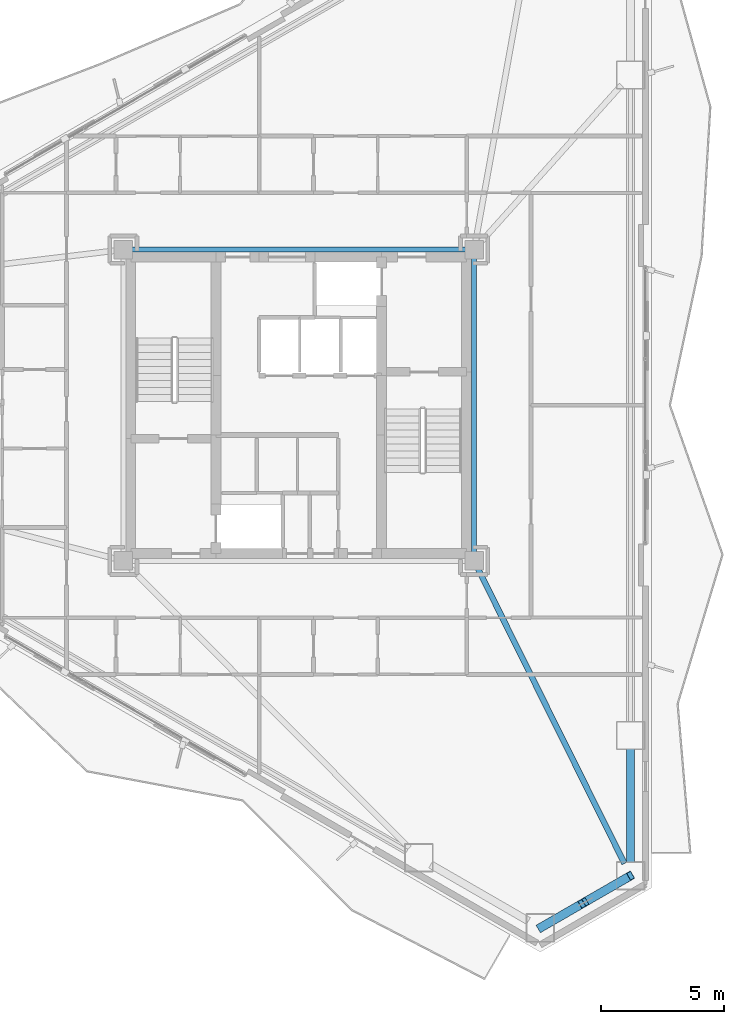
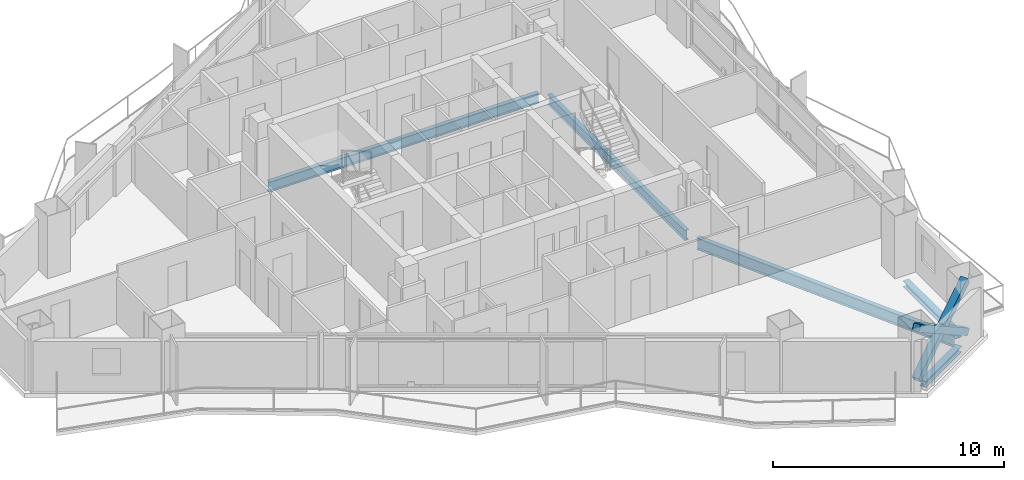
# One storey, part 7 of 22: 5 beams, 3 members.
"""IFC4 building model written with IfcOpenShell, lengths in metres."""

from ifc_helpers import new_model, si_unit, direction, frame, origin, origin_2d, place, context, subcontext, project, spatial, hollow_rectangle, i_section, extrude, material, material_profile, profile_set, type_object, element, save


model = new_model("IFC4")

# Units and contexts
model_context = context("Model", 3, precision=1e-05, world=origin(), true_north=direction((0.0, 1.0)))
body_context = subcontext(model_context, "Body", "Model", "MODEL_VIEW")
ifc_project = project(units=[si_unit("LENGTHUNIT", "METRE"), si_unit("AREAUNIT", "SQUARE_METRE"), si_unit("VOLUMEUNIT", "CUBIC_METRE"), si_unit("PLANEANGLEUNIT", "RADIAN"), si_unit("MASSUNIT", "GRAM", prefix="KILO")], contexts=[model_context])

# Site, building, storey
site_placement = place(None, origin())
site = spatial("IfcSite", under=ifc_project, at=site_placement, CompositionType="ELEMENT")
building_placement = place(site_placement, origin())
building = spatial("IfcBuilding", under=site, at=building_placement, Name="Mersakhor Tower and Convention Hall", CompositionType="ELEMENT")
storey_placement = place(building_placement, frame((0.0, 0.0, 99.89990234375)))
storey = spatial("IfcBuildingStorey", under=building, at=storey_placement, Name="L27", CompositionType="ELEMENT", Elevation=99.89990234375)

# Beams
ifc_material_1 = material(Name="Steel S355", Category="steel")
ifc_material_profile_1 = material_profile(ifc_material_1, i_section(OverallWidth=0.2099609375, OverallDepth=0.53662109375, WebThickness=0.0107421875, FlangeThickness=0.017333984375, at=origin_2d()), Name="UB 533x210x101")
ifc_profile_set_1 = profile_set([ifc_material_profile_1], Name="Steel S355")
beam_type_1 = type_object("IfcBeamType", Name="BM-FB-533", PredefinedType="BEAM", material=ifc_profile_set_1)
beam_1_placement = place(storey_placement, frame((22.2548828125, 33.050048828125, -0.518310546875), z_axis=(1.0, 0.0, 0.0), x_axis=(0.0, 1.0, 0.0)))
element("IfcBeam", 1, at=beam_1_placement, inside=storey, type_object=beam_type_1, Name="L27 Core Ring Tie Beam CRB-2", PredefinedType="BEAM", context=body_context, shape_type="SweptSolid", body=[
    extrude(i_section(OverallWidth=0.2099609375, OverallDepth=0.53662109375, WebThickness=0.0107421875, FlangeThickness=0.017333984375, at=origin_2d()), origin(), (0.0, 0.0, 1.0), 13.490234375),
])
beam_2_placement = place(storey_placement, frame((36.10009765625, 32.695068359375, -0.518310546875), z_axis=(0.0, -1.0, 0.0), x_axis=(1.0, 0.0, 0.0)))
element("IfcBeam", 2, at=beam_2_placement, inside=storey, type_object=beam_type_1, Name="L27 Core Ring Tie Beam CRB-3", PredefinedType="BEAM", context=body_context, shape_type="SweptSolid", body=[
    extrude(i_section(OverallWidth=0.2099609375, OverallDepth=0.53662109375, WebThickness=0.0107421875, FlangeThickness=0.017333984375, at=origin_2d()), origin(), (0.0, 0.0, 1.0), 11.89013671875),
])
ifc_material_2 = material(Name="Steel S355", Category="steel")
ifc_material_profile_2 = material_profile(ifc_material_2, i_section(OverallWidth=0.22900390625, OverallDepth=0.6123046875, WebThickness=0.011962890625, FlangeThickness=0.01953125, at=origin_2d()), Name="UB 610x229x125")
ifc_profile_set_2 = profile_set([ifc_material_profile_2], Name="Steel S355")
beam_type_2 = type_object("IfcBeamType", Name="BM-PR-610", PredefinedType="BEAM", material=ifc_profile_set_2)
beam_3_placement = place(storey_placement, frame((36.258056640625, 20.132080078125, -0.555908203125), z_axis=(0.444984263658, -0.895538388399, 0.0), x_axis=(0.895538388399, 0.444984263658, 0.0)))
element("IfcBeam", 3, at=beam_3_placement, inside=storey, type_object=beam_type_2, Name="L27 Primary Floor Girder FG-4", PredefinedType="BEAM", context=body_context, shape_type="SweptSolid", body=[
    extrude(i_section(OverallWidth=0.22900390625, OverallDepth=0.6123046875, WebThickness=0.011962890625, FlangeThickness=0.01953125, at=origin_2d()), origin(), (0.0, 0.0, 1.0), 13.324951171875),
])
ifc_material_3 = material(Name="Steel S355", Category="steel")
ifc_material_profile_3 = material_profile(ifc_material_3, i_section(OverallWidth=0.30908203125, OverallDepth=0.320556640625, WebThickness=0.013916015625, FlangeThickness=0.021728515625, at=origin_2d()), Name="UC 305x305x137")
ifc_profile_set_3 = profile_set([ifc_material_profile_3], Name="Steel S355")
beam_type_3 = type_object("IfcBeamType", Name="BM-SPD-UC305", PredefinedType="SPANDREL", material=ifc_profile_set_3)
beam_4_placement = place(storey_placement, frame((42.4345703125, 12.8232421875, -0.41015625), z_axis=(0.0, -1.0, 0.0), x_axis=(1.0, 0.0, 0.0)))
element("IfcBeam", 4, at=beam_4_placement, inside=storey, type_object=beam_type_3, Name="L27 Perimeter Spandrel Beam SPB-07", PredefinedType="SPANDREL", context=body_context, shape_type="SweptSolid", body=[
    extrude(i_section(OverallWidth=0.30908203125, OverallDepth=0.320556640625, WebThickness=0.013916015625, FlangeThickness=0.021728515625, at=origin_2d()), origin(), (0.0, 0.0, 1.0), 4.566162109375),
])
beam_5_placement = place(storey_placement, frame((41.9541015625, 7.424560546875, -0.41015625), z_axis=(-0.866052319632, -0.499953377486, 0.0), x_axis=(0.499953377486, -0.866052319632, 0.0)))
element("IfcBeam", 5, at=beam_5_placement, inside=storey, type_object=beam_type_3, Name="L27 Perimeter Spandrel Beam SPB-08", PredefinedType="SPANDREL", context=body_context, shape_type="SweptSolid", body=[
    extrude(i_section(OverallWidth=0.30908203125, OverallDepth=0.320556640625, WebThickness=0.013916015625, FlangeThickness=0.021728515625, at=origin_2d()), origin(), (0.0, 0.0, 1.0), 3.111572265625),
])

# Members
ifc_material_4 = material(Name="Steel S460", Category="steel")
ifc_material_profile_4 = material_profile(ifc_material_4, hollow_rectangle(XDim=0.35009765625, YDim=0.35009765625, WallThickness=0.02001953125, at=origin_2d()), Name="SHS 350x350x20")
ifc_profile_set_4 = profile_set([ifc_material_profile_4], Name="Steel S460")
member_type = type_object("IfcMemberType", Name="MB-BRC-SHS350", PredefinedType="BRACE", material=ifc_profile_set_4)
member_1_placement = place(storey_placement, frame((42.4345703125, 7.701904296875, 0.150146484375), z_axis=(-0.725633725484, -0.418933054415, 0.545848689986), x_axis=(0.49998946241, -0.866031487579, 0.0)))
element("IfcMember", 6, at=member_1_placement, inside=storey, type_object=member_type, Name="L27 Chamfer Braced Frame Diagonal CB-2A", PredefinedType="BRACE", context=body_context, shape_type="SweptSolid", body=[
    extrude(hollow_rectangle(XDim=0.35009765625, YDim=0.35009765625, WallThickness=0.02001953125, at=origin_2d()), origin(), (0.0, 0.0, 1.0), 5.0380859375),
])
member_2_placement = place(storey_placement, frame((38.77880859375, 5.59130859375, 0.150146484375), z_axis=(0.725635037856, 0.418918980369, 0.545857746783), x_axis=(-0.499976186015, 0.866039152359, 0.0)))
element("IfcMember", 7, at=member_2_placement, inside=storey, type_object=member_type, Name="L27 Chamfer Braced Frame Diagonal CB-2B Lower Half", PredefinedType="BRACE", context=body_context, shape_type="SweptSolid", body=[
    extrude(hollow_rectangle(XDim=0.35009765625, YDim=0.35009765625, WallThickness=0.02001953125, at=origin_2d()), origin(), (0.0, 0.0, 1.0), 2.319580078125),
])
member_3_placement = place(storey_placement, frame((40.751220703125, 6.730224609375, 1.6337890625), z_axis=(0.725643177862, 0.418862922102, 0.545889943955), x_axis=(-0.499921796684, 0.866070549782, 0.0)))
element("IfcMember", 8, at=member_3_placement, inside=storey, type_object=member_type, Name="L27 Chamfer Braced Frame Diagonal CB-2B Upper Half", PredefinedType="BRACE", context=body_context, shape_type="SweptSolid", body=[
    extrude(hollow_rectangle(XDim=0.35009765625, YDim=0.35009765625, WallThickness=0.02001953125, at=origin_2d()), origin(), (0.0, 0.0, 1.0), 2.31982421875),
])

save(model, "model.ifc")
